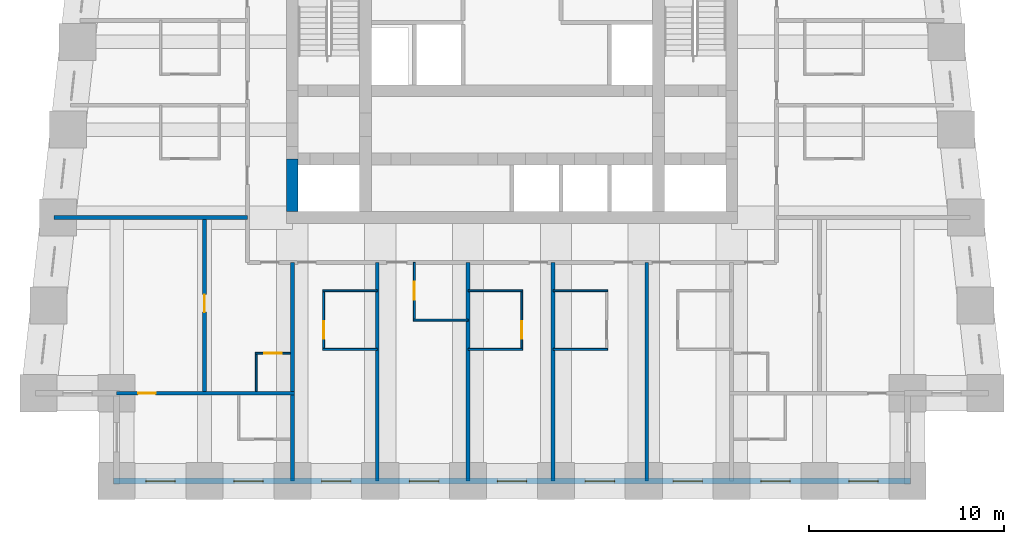
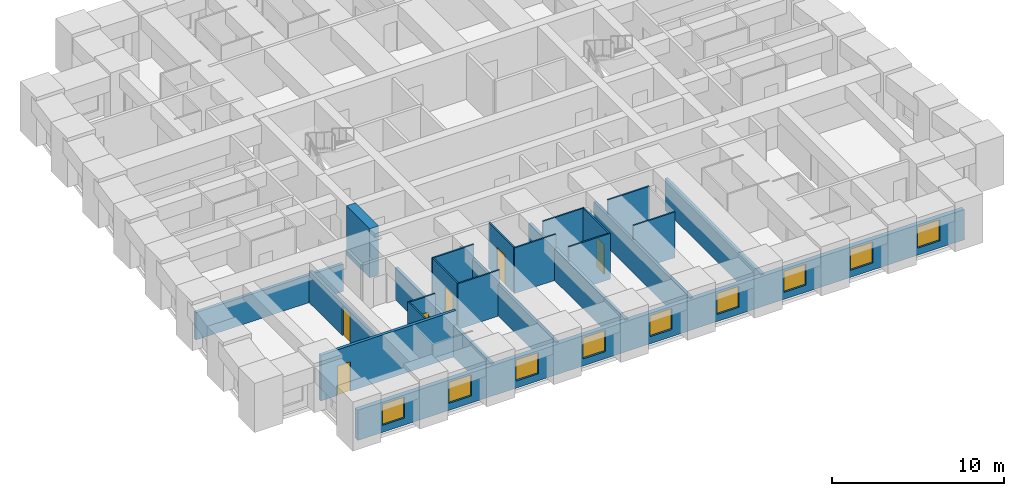
# One storey, part 2 of 8: 22 walls, 9 windows, 6 doors, 15 openings.
"""IFC4 building model written with IfcOpenShell, lengths in metres."""

import ifcopenshell
import ifcopenshell.guid

model = None  # the IFC model being written
_history = None  # IfcOwnerHistory: only IFC2X3 demands one
_inside = {}  # id of a spatial element -> (the spatial element, [elements in it])
_under = {}  # id of a project, library or spatial element -> (it, [spatial elements below it])
_declared = {}  # id of a project -> (the project, [libraries it declares])
_typed = {}  # id of a type object -> (the type object, [elements of that type])
_made_of = {}  # id of a material, layer set ... -> (it, [elements and type objects made of it])


def new_model(schema):
    """Start an empty IFC model of exactly this schema.

    Asked for "IFC4X3", IfcOpenShell would pick the latest addendum, in which some entities
    have other attributes; the version numbers below select the first issue.
    IFC2X3 requires an IfcOwnerHistory on every rooted entity: one is made here for all.
    """
    global model, _history
    if schema == "IFC4X3":
        model = ifcopenshell.file(schema_version=(4, 3, 0, 0))
    else:
        model = ifcopenshell.file(schema=schema)
    _inside.clear()
    _under.clear()
    _declared.clear()
    _typed.clear()
    _made_of.clear()
    _history = None
    if model.schema == "IFC2X3":
        org = make("IfcOrganization", Name="unknown")
        user = make(
            "IfcPersonAndOrganization",
            ThePerson=make("IfcPerson", FamilyName="unknown"),
            TheOrganization=org,
        )
        app = make(
            "IfcApplication",
            ApplicationDeveloper=org,
            Version="unknown",
            ApplicationFullName="unknown",
            ApplicationIdentifier="unknown",
        )
        _history = make(
            "IfcOwnerHistory",
            OwningUser=user,
            OwningApplication=app,
            ChangeAction="ADDED",
            CreationDate=0,
        )
    return model


def make(cls, **values):
    """One entity of the class cls with the attributes given. An attribute that is None is left unset."""
    return model.create_entity(
        cls, **{name: value for name, value in values.items() if value is not None}
    )


def rooted(cls, **values):
    """An entity with a GlobalId (a new one), such as an element, a storey or a relation."""
    return make(cls, GlobalId=ifcopenshell.guid.new(), OwnerHistory=_history, **values)


def si_unit(unit_type, name, prefix=None):
    """IfcSIUnit, for example si_unit("LENGTHUNIT", "METRE", prefix="MILLI")."""
    return make("IfcSIUnit", UnitType=unit_type, Prefix=prefix, Name=name)


def assignment(units):
    """IfcUnitAssignment: the units of a project."""
    return None if units is None else make("IfcUnitAssignment", Units=units)


def point(xyz):
    """IfcCartesianPoint."""
    return None if xyz is None else make("IfcCartesianPoint", Coordinates=xyz)


def direction(xyz):
    """IfcDirection."""
    return None if xyz is None else make("IfcDirection", DirectionRatios=xyz)


def frame(location, z_axis=None, x_axis=None):
    """IfcAxis2Placement3D, a coordinate frame: its origin and axes. An axis left out is left unset."""
    return make(
        "IfcAxis2Placement3D",
        Location=point(location),
        Axis=direction(z_axis),
        RefDirection=direction(x_axis),
    )


def frame_2d(location, x_axis=None):
    """IfcAxis2Placement2D, a coordinate frame in the plane: its origin and x axis."""
    return make(
        "IfcAxis2Placement2D", Location=point(location), RefDirection=direction(x_axis)
    )


def origin():
    """The frame at (0, 0, 0) with its axes left unset."""
    return frame((0.0, 0.0, 0.0))


def place(relative_to, where):
    """IfcLocalPlacement: puts the frame where relative to a parent placement (None: the world)."""
    return make(
        "IfcLocalPlacement", PlacementRelTo=relative_to, RelativePlacement=where
    )


def context(
    kind, dimensions, precision=None, world=None, true_north=None, identifier=None
):
    """IfcGeometricRepresentationContext, for example the 3D "Model" context."""
    return make(
        "IfcGeometricRepresentationContext",
        ContextIdentifier=identifier,
        ContextType=kind,
        CoordinateSpaceDimension=dimensions,
        Precision=precision,
        WorldCoordinateSystem=world,
        TrueNorth=true_north,
    )


def subcontext(parent, identifier, kind, view, scale=None):
    """IfcGeometricRepresentationSubContext, for example "Body" below "Model"."""
    return make(
        "IfcGeometricRepresentationSubContext",
        ContextIdentifier=identifier,
        ContextType=kind,
        ParentContext=parent,
        TargetScale=scale,
        TargetView=view,
    )


def project(units=None, contexts=None):
    """IfcProject with its units and contexts."""
    return rooted(
        "IfcProject",
        Name="project",
        RepresentationContexts=contexts,
        UnitsInContext=assignment(units),
    )


def spatial(cls, under=None, at=None, **own):
    """A site, building, storey or space (cls), placed at a placement, below another one or the project."""
    s = rooted(cls, ObjectPlacement=at, **own)
    if under is not None:
        _under.setdefault(under.id(), (under, []))[1].append(s)
    return s


def profile(cls, at=None, kind="AREA", **sizes):
    """A parametric profile (cls). Its sizes go by their IFC names, for example OverallWidth=200.0."""
    return make(cls, ProfileType=kind, Position=at, **sizes)


def rectangle(**sizes):
    """IfcRectangleProfileDef."""
    return profile("IfcRectangleProfileDef", **sizes)


def extrude(swept, where, along, depth):
    """IfcExtrudedAreaSolid: the profile swept, set in the frame where, extruded along a direction by depth."""
    return make(
        "IfcExtrudedAreaSolid",
        SweptArea=swept,
        Position=where,
        ExtrudedDirection=direction(along),
        Depth=depth,
    )


def shape(context_of_items, identifier, shape_type, items):
    """IfcShapeRepresentation: the items that make up one representation, for example the "Body"."""
    return make(
        "IfcShapeRepresentation",
        ContextOfItems=context_of_items,
        RepresentationIdentifier=identifier,
        RepresentationType=shape_type,
        Items=items,
    )


def material(Name=None, Category=None):
    """IfcMaterial."""
    return make("IfcMaterial", Name=Name, Category=Category)


def layer(
    of_material, thickness, ventilated=None, Name=None, Category=None, Priority=None
):
    """IfcMaterialLayer: one layer of a wall or slab, of a material (None: an air gap)."""
    return make(
        "IfcMaterialLayer",
        Material=of_material,
        LayerThickness=thickness,
        IsVentilated=ventilated,
        Name=Name,
        Category=Category,
        Priority=Priority,
    )


def layer_set(layers, Name=None):
    """IfcMaterialLayerSet."""
    return make("IfcMaterialLayerSet", MaterialLayers=layers, LayerSetName=Name)


def made_of(thing, what):
    """Note that an element or type object is made of a material, layer set ...; save() writes the relation."""
    if what is not None:
        _made_of.setdefault(what.id(), (what, []))[1].append(thing)
    return thing


def type_object(cls, material=None, **own):
    """A type object (cls), such as IfcWallType, which elements share."""
    return made_of(rooted(cls, **own), material)


def element(
    cls,
    number,
    at=None,
    inside=None,
    cuts=None,
    type_object=None,
    material=None,
    context=None,
    identifier="Body",
    shape_type=None,
    held_by="IfcProductDefinitionShape",
    body=None,
    shapes=None,
    **own,
):
    """One element of the class cls, such as IfcWall. Its Tag is "e" and its number.

    at: its placement. inside: the storey or other place that contains it. cuts: it is an
    opening in that element (IfcRelVoidsElement). A single representation is given by context,
    identifier, shape_type and body (its items); several are given by shapes. held_by: the class
    of the entity that holds the representations. save() writes the other relations.
    """
    e = rooted(cls, Tag="e%d" % number, ObjectPlacement=at, **own)
    if body is not None:
        shapes = [shape(context, identifier, shape_type, body)]
    if shapes is not None:
        e.Representation = make(held_by, Representations=shapes)
    if inside is not None:
        _inside.setdefault(inside.id(), (inside, []))[1].append(e)
    if cuts is not None:
        rooted(
            "IfcRelVoidsElement", RelatingBuildingElement=cuts, RelatedOpeningElement=e
        )
    if type_object is not None:
        _typed.setdefault(type_object.id(), (type_object, []))[1].append(e)
    return made_of(e, material)


def fill(opening, filler):
    """IfcRelFillsElement: the door or window that sits in an opening."""
    return rooted(
        "IfcRelFillsElement",
        RelatingOpeningElement=opening,
        RelatedBuildingElement=filler,
    )


def aggregate(whole, parts):
    """IfcRelAggregates: a whole, such as a stair, and the parts it consists of."""
    return rooted("IfcRelAggregates", RelatingObject=whole, RelatedObjects=parts)


def save(model, path):
    """Write the relations noted so far, then the file.

    IfcRelAggregates (storeys below a building ...), IfcRelContainedInSpatialStructure (elements
    in a storey), IfcRelDefinesByType, IfcRelAssociatesMaterial and IfcRelDeclares: one each for
    every whole, place, type object, material and project.
    """
    for whole, parts in _under.values():
        aggregate(whole, parts)
    for where, things in _inside.values():
        rooted(
            "IfcRelContainedInSpatialStructure",
            RelatedElements=things,
            RelatingStructure=where,
        )
    for kind, things in _typed.values():
        rooted("IfcRelDefinesByType", RelatedObjects=things, RelatingType=kind)
    for what, things in _made_of.values():
        rooted("IfcRelAssociatesMaterial", RelatedObjects=things, RelatingMaterial=what)
    for by, libraries in _declared.values():
        rooted("IfcRelDeclares", RelatingContext=by, RelatedDefinitions=libraries)
    model.write(path)


model = new_model("IFC4")

# Units and contexts
model_context = context("Model", 3, precision=1e-05, world=origin(), true_north=direction((0.0, 1.0)))
body_context = subcontext(model_context, "Body", "Model", "MODEL_VIEW")
ifc_project = project(units=[si_unit("LENGTHUNIT", "METRE"), si_unit("AREAUNIT", "SQUARE_METRE"), si_unit("VOLUMEUNIT", "CUBIC_METRE"), si_unit("PLANEANGLEUNIT", "RADIAN"), si_unit("MASSUNIT", "GRAM", prefix="KILO")], contexts=[model_context])

# Site, building, storey
site_placement = place(None, origin())
site = spatial("IfcSite", under=ifc_project, at=site_placement, CompositionType="ELEMENT")
building_placement = place(site_placement, origin())
building = spatial("IfcBuilding", under=site, at=building_placement, Name="Kilele Tower Hotel", CompositionType="ELEMENT")
storey_placement = place(building_placement, frame((0.0, 0.0, 100.39990234375)))
storey = spatial("IfcBuildingStorey", under=building, at=storey_placement, Name="L25", CompositionType="ELEMENT", Elevation=100.39990234375)

# Walls
ifc_material_1 = material(Name="Moisture-resistant board")
ifc_layer_1 = layer(ifc_material_1, 0.10009765625)
ifc_layer_set_1 = layer_set([ifc_layer_1], Name="Moisture-resistant board")
wall_type_1 = type_object("IfcWallType", Name="Bathroom partition 100", PredefinedType="PLUMBINGWALL", material=ifc_layer_set_1)
for number, where, z_axis, x_axis, name in (
    (1, (15.050048828125, 9.75, 0.0), (0.0, 0.0, 1.0), (1.0, 0.0, 0.0), "Bathroom partition 100 L25"),
    (2, (15.050048828125, 6.75, 0.0), (0.0, 0.0, 1.0), (1.0, 0.0, 0.0), "Bathroom partition 100 L25"),
):
    element("IfcWall", number, at=place(storey_placement, frame(where, z_axis=z_axis, x_axis=x_axis)), inside=storey, type_object=wall_type_1, Name=name, PredefinedType="PLUMBINGWALL", context=body_context, shape_type="SweptSolid", body=[
        extrude(rectangle(XDim=2.800048828125, YDim=0.10009765625, at=frame_2d((1.39990234375, 0.0))), origin(), (0.0, 0.0, 1.0), 3.25),
    ])

# Wall, opening, door
wall_1_placement = place(storey_placement, frame((15.10009765625, 9.800048828125, 0.0), z_axis=(0.0, 0.0, 1.0), x_axis=(0.0, -1.0, 0.0)))
wall_1 = element("IfcWall", 3, at=wall_1_placement, inside=storey, type_object=wall_type_1, Name="Bathroom partition 100 L25", PredefinedType="PLUMBINGWALL", context=body_context, shape_type="SweptSolid", body=[
    extrude(rectangle(XDim=3.10009765625, YDim=0.10009765625, at=frame_2d((1.550048828125, 0.0))), origin(), (0.0, 0.0, 1.0), 3.25),
])
opening_1_placement = place(wall_1_placement, frame((2.5, 0.0, 0.0), z_axis=(0.0, 0.0, 1.0), x_axis=(-1.0, 0.0, 0.0)))
opening_1 = element("IfcOpeningElement", 4, at=opening_1_placement, cuts=wall_1, Name="Opening D2A", PredefinedType="OPENING", context=body_context, shape_type="SweptSolid", body=[
    extrude(rectangle(XDim=0.89990234375, YDim=2.10009765625, at=frame_2d((0.449951171875, 1.050048828125))), frame((0.0, 0.06005859375, 0.0), z_axis=(0.0, -1.0, 0.0), x_axis=(1.0, 0.0, 0.0)), (0.0, 0.0, 1.0), 0.1201171875),
])
ifc_material_2 = material(Name="Timber door leaf in hardwood frame", Category="wood")
door_type_1 = type_object("IfcDoorType", Name="Bathroom door 900", OperationType="SINGLE_SWING_LEFT", PredefinedType="DOOR", material=ifc_material_2)
door_1_placement = place(opening_1_placement, origin())
door_1 = element("IfcDoor", 5, at=door_1_placement, inside=storey, type_object=door_type_1, Name="Bathroom door 2501B", OperationType="SINGLE_SWING_LEFT", OverallHeight=2.10009765625, OverallWidth=0.89990234375, PredefinedType="DOOR", context=body_context, shape_type="SweptSolid", body=[
    extrude(rectangle(XDim=0.89990234375, YDim=2.10009765625, at=frame_2d((0.449951171875, 1.050048828125))), frame((0.0, 0.02490234375, 0.0), z_axis=(0.0, -1.0, 0.0), x_axis=(1.0, 0.0, 0.0)), (0.0, 0.0, 1.0), 0.050048828125),
])
fill(opening_1, door_1)

# Wall
wall_2_placement = place(storey_placement, frame((19.699951171875, 8.25, 0.0), z_axis=(0.0, 0.0, 1.0), x_axis=(1.0, 0.0, 0.0)))
element("IfcWall", 6, at=wall_2_placement, inside=storey, type_object=wall_type_1, Name="Bathroom partition 100 L25", PredefinedType="PLUMBINGWALL", context=body_context, shape_type="SweptSolid", body=[
    extrude(rectangle(XDim=2.800048828125, YDim=0.10009765625, at=frame_2d((1.39990234375, 0.0))), origin(), (0.0, 0.0, 1.0), 3.25),
])

# Wall, opening, door
wall_3_placement = place(storey_placement, frame((19.75, 11.199951171875, 0.0), z_axis=(0.0, 0.0, 1.0), x_axis=(0.0, -1.0, 0.0)))
wall_3 = element("IfcWall", 7, at=wall_3_placement, inside=storey, type_object=wall_type_1, Name="Bathroom partition 100 L25", PredefinedType="PLUMBINGWALL", context=body_context, shape_type="SweptSolid", body=[
    extrude(rectangle(XDim=3.0, YDim=0.10009765625, at=frame_2d((1.5, 0.0))), origin(), (0.0, 0.0, 1.0), 3.25),
])
opening_2_placement = place(wall_3_placement, frame((1.89990234375, 0.0, 0.0), z_axis=(0.0, 0.0, 1.0), x_axis=(-1.0, 0.0, 0.0)))
opening_2 = element("IfcOpeningElement", 8, at=opening_2_placement, cuts=wall_3, Name="Opening D2A", PredefinedType="OPENING", context=body_context, shape_type="SweptSolid", body=[
    extrude(rectangle(XDim=0.89990234375, YDim=2.10009765625, at=frame_2d((0.449951171875, 1.050048828125))), frame((0.0, 0.06005859375, 0.0), z_axis=(0.0, -1.0, 0.0), x_axis=(1.0, 0.0, 0.0)), (0.0, 0.0, 1.0), 0.1201171875),
])
door_2_placement = place(opening_2_placement, origin())
door_2 = element("IfcDoor", 9, at=door_2_placement, inside=storey, type_object=door_type_1, Name="Bathroom door 2502B", OperationType="SINGLE_SWING_RIGHT", OverallHeight=2.10009765625, OverallWidth=0.89990234375, PredefinedType="DOOR", context=body_context, shape_type="SweptSolid", body=[
    extrude(rectangle(XDim=0.89990234375, YDim=2.10009765625, at=frame_2d((0.449951171875, 1.050048828125))), frame((0.0, 0.02490234375, 0.0), z_axis=(0.0, -1.0, 0.0), x_axis=(1.0, 0.0, 0.0)), (0.0, 0.0, 1.0), 0.050048828125),
])
fill(opening_2, door_2)

# Walls
for number, where, z_axis, x_axis, name in (
    (10, (22.5, 9.75, 0.0), (0.0, 0.0, 1.0), (1.0, 0.0, 0.0), "Bathroom partition 100 L25"),
    (11, (22.5, 6.75, 0.0), (0.0, 0.0, 1.0), (1.0, 0.0, 0.0), "Bathroom partition 100 L25"),
):
    element("IfcWall", number, at=place(storey_placement, frame(where, z_axis=z_axis, x_axis=x_axis)), inside=storey, type_object=wall_type_1, Name=name, PredefinedType="PLUMBINGWALL", context=body_context, shape_type="SweptSolid", body=[
        extrude(rectangle(XDim=2.800048828125, YDim=0.10009765625, at=frame_2d((1.39990234375, 0.0))), origin(), (0.0, 0.0, 1.0), 3.25),
    ])

# Wall, opening, door
wall_4_placement = place(storey_placement, frame((25.25, 9.800048828125, 0.0), z_axis=(0.0, 0.0, 1.0), x_axis=(0.0, -1.0, 0.0)))
wall_4 = element("IfcWall", 12, at=wall_4_placement, inside=storey, type_object=wall_type_1, Name="Bathroom partition 100 L25", PredefinedType="PLUMBINGWALL", context=body_context, shape_type="SweptSolid", body=[
    extrude(rectangle(XDim=3.10009765625, YDim=0.10009765625, at=frame_2d((1.550048828125, 0.0))), origin(), (0.0, 0.0, 1.0), 3.25),
])
opening_3_placement = place(wall_4_placement, frame((1.60009765625, 0.0, 0.0)))
opening_3 = element("IfcOpeningElement", 13, at=opening_3_placement, cuts=wall_4, Name="Opening D2A", PredefinedType="OPENING", context=body_context, shape_type="SweptSolid", body=[
    extrude(rectangle(XDim=0.89990234375, YDim=2.10009765625, at=frame_2d((0.449951171875, 1.050048828125))), frame((0.0, 0.06005859375, 0.0), z_axis=(0.0, -1.0, 0.0), x_axis=(1.0, 0.0, 0.0)), (0.0, 0.0, 1.0), 0.1201171875),
])
door_3_placement = place(opening_3_placement, origin())
door_3 = element("IfcDoor", 14, at=door_3_placement, inside=storey, type_object=door_type_1, Name="Bathroom door 2503B", OperationType="SINGLE_SWING_RIGHT", OverallHeight=2.10009765625, OverallWidth=0.89990234375, PredefinedType="DOOR", context=body_context, shape_type="SweptSolid", body=[
    extrude(rectangle(XDim=0.89990234375, YDim=2.10009765625, at=frame_2d((0.449951171875, 1.050048828125))), frame((0.0, 0.02490234375, 0.0), z_axis=(0.0, -1.0, 0.0), x_axis=(1.0, 0.0, 0.0)), (0.0, 0.0, 1.0), 0.050048828125),
])
fill(opening_3, door_3)

# Walls
for number, where, z_axis, x_axis, name in (
    (15, (26.85009765625, 9.75, 0.0), (0.0, 0.0, 1.0), (1.0, 0.0, 0.0), "Bathroom partition 100 L25"),
    (16, (26.85009765625, 6.75, 0.0), (0.0, 0.0, 1.0), (1.0, 0.0, 0.0), "Bathroom partition 100 L25"),
):
    element("IfcWall", number, at=place(storey_placement, frame(where, z_axis=z_axis, x_axis=x_axis)), inside=storey, type_object=wall_type_1, Name=name, PredefinedType="PLUMBINGWALL", context=body_context, shape_type="SweptSolid", body=[
        extrude(rectangle(XDim=2.7998046875, YDim=0.10009765625, at=frame_2d((1.39990234375, 0.0))), origin(), (0.0, 0.0, 1.0), 3.25),
    ])
wall_5_placement = place(storey_placement, frame((11.64990234375, 4.60009765625, 0.0), z_axis=(0.0, 0.0, 1.0), x_axis=(0.0, 1.0, 0.0)))
element("IfcWall", 17, at=wall_5_placement, inside=storey, type_object=wall_type_1, Name="Bathroom partition 100 L25", PredefinedType="PLUMBINGWALL", context=body_context, shape_type="SweptSolid", body=[
    extrude(rectangle(XDim=2.0, YDim=0.10009765625, at=frame_2d((1.0, 0.0))), origin(), (0.0, 0.0, 1.0), 3.25),
])

# Wall, opening, door
wall_6_placement = place(storey_placement, frame((13.39990234375, 6.550048828125, 0.0), z_axis=(0.0, 0.0, 1.0), x_axis=(-1.0, 0.0, 0.0)))
wall_6 = element("IfcWall", 18, at=wall_6_placement, inside=storey, type_object=wall_type_1, Name="Bathroom partition 100 L25", PredefinedType="PLUMBINGWALL", context=body_context, shape_type="SweptSolid", body=[
    extrude(rectangle(XDim=1.7998046875, YDim=0.10009765625, at=frame_2d((0.89990234375, 0.0))), origin(), (0.0, 0.0, 1.0), 3.25),
])
opening_4_placement = place(wall_6_placement, frame((1.349853515625, 0.0, 0.0), z_axis=(0.0, 0.0, 1.0), x_axis=(-1.0, 0.0, 0.0)))
opening_4 = element("IfcOpeningElement", 19, at=opening_4_placement, cuts=wall_6, Name="Opening D2A", PredefinedType="OPENING", context=body_context, shape_type="SweptSolid", body=[
    extrude(rectangle(XDim=0.89990234375, YDim=2.10009765625, at=frame_2d((0.449951171875, 1.050048828125))), frame((0.0, 0.06005859375, 0.0), z_axis=(0.0, -1.0, 0.0), x_axis=(1.0, 0.0, 0.0)), (0.0, 0.0, 1.0), 0.1201171875),
])
door_4_placement = place(opening_4_placement, origin())
door_4 = element("IfcDoor", 20, at=door_4_placement, inside=storey, type_object=door_type_1, Name="Bathroom door 2517P", OperationType="SINGLE_SWING_RIGHT", OverallHeight=2.10009765625, OverallWidth=0.89990234375, PredefinedType="DOOR", context=body_context, shape_type="SweptSolid", body=[
    extrude(rectangle(XDim=0.89990234375, YDim=2.10009765625, at=frame_2d((0.449951171875, 1.050048828125))), frame((0.0, 0.02490234375, 0.0), z_axis=(0.0, -1.0, 0.0), x_axis=(1.0, 0.0, 0.0)), (0.0, 0.0, 1.0), 0.050048828125),
])
fill(opening_4, door_4)

# Wall
ifc_material_3 = material(Name="Concrete C60/75", Category="concrete")
ifc_layer_2 = layer(ifc_material_3, 0.60009765625)
ifc_layer_set_2 = layer_set([ifc_layer_2], Name="Concrete C60/75")
wall_type_2 = type_object("IfcWallType", Name="Core wall 600 C60/75", PredefinedType="SHEAR", material=ifc_layer_set_2)
wall_7_placement = place(storey_placement, frame((13.5, 16.5, 0.0), z_axis=(0.0, 0.0, 1.0), x_axis=(0.0, -1.0, 0.0)))
element("IfcWall", 21, at=wall_7_placement, inside=storey, type_object=wall_type_2, Name="Core wall W3 L25", PredefinedType="SHEAR", context=body_context, shape_type="SweptSolid", body=[
    extrude(rectangle(XDim=2.699951171875, YDim=0.60009765625, at=frame_2d((1.35009765625, 0.0))), origin(), (0.0, 0.0, 1.0), 3.5),
])

# Wall, opening, door
ifc_material_4 = material(Name="Blockwork, plastered both sides", Category="masonry")
ifc_layer_3 = layer(ifc_material_4, 0.199951171875)
ifc_layer_set_3 = layer_set([ifc_layer_3], Name="Blockwork, plastered both sides")
wall_type_3 = type_object("IfcWallType", Name="Partition wall 200", PredefinedType="PARTITIONING", material=ifc_layer_set_3)
wall_8_placement = place(storey_placement, frame((9.0, 4.60009765625, 0.0), z_axis=(0.0, 0.0, 1.0), x_axis=(0.0, 1.0, 0.0)))
wall_8 = element("IfcWall", 22, at=wall_8_placement, inside=storey, type_object=wall_type_3, Name="Partition wall 200 L25", PredefinedType="PARTITIONING", context=body_context, shape_type="SweptSolid", body=[
    extrude(rectangle(XDim=8.7998046875, YDim=0.199951171875, at=frame_2d((4.39990234375, 0.0))), origin(), (0.0, 0.0, 1.0), 2.25),
])
opening_5_placement = place(wall_8_placement, frame((4.050048828125, 0.0, 0.0)))
opening_5 = element("IfcOpeningElement", 23, at=opening_5_placement, cuts=wall_8, Name="Opening D3", PredefinedType="OPENING", context=body_context, shape_type="SweptSolid", body=[
    extrude(rectangle(XDim=0.89990234375, YDim=2.10009765625, at=frame_2d((0.449951171875, 1.050048828125))), frame((0.0, 0.10986328125, 0.0), z_axis=(0.0, -1.0, 0.0), x_axis=(1.0, 0.0, 0.0)), (0.0, 0.0, 1.0), 0.219970703125),
])
ifc_material_5 = material(Name="Timber door leaf in hardwood frame", Category="wood")
door_type_2 = type_object("IfcDoorType", Name="Suite internal door 900", OperationType="SINGLE_SWING_LEFT", PredefinedType="DOOR", material=ifc_material_5)
door_5_placement = place(opening_5_placement, origin())
door_5 = element("IfcDoor", 24, at=door_5_placement, inside=storey, type_object=door_type_2, Name="Suite door 2518", OperationType="SINGLE_SWING_RIGHT", OverallHeight=2.10009765625, OverallWidth=0.89990234375, PredefinedType="DOOR", context=body_context, shape_type="SweptSolid", body=[
    extrude(rectangle(XDim=0.89990234375, YDim=2.10009765625, at=frame_2d((0.449951171875, 1.050048828125))), frame((0.0, 0.02490234375, 0.0), z_axis=(0.0, -1.0, 0.0), x_axis=(1.0, 0.0, 0.0)), (0.0, 0.0, 1.0), 0.050048828125),
])
fill(opening_5, door_5)

# Walls
ifc_material_6 = material(Name="Blockwork, plastered both sides", Category="masonry")
ifc_layer_4 = layer(ifc_material_6, 0.199951171875)
ifc_layer_set_4 = layer_set([ifc_layer_4], Name="Blockwork, plastered both sides")
wall_type_4 = type_object("IfcWallType", Name="Party wall 200", PredefinedType="PARTITIONING", material=ifc_layer_set_4)
for number, where, z_axis, x_axis, name in (
    (25, (17.85009765625, 11.199951171875, 0.0), (0.0, 0.0, 1.0), (0.0, -1.0, 0.0), "Party wall 200 L25"),
    (26, (22.5, 11.199951171875, 0.0), (0.0, 0.0, 1.0), (0.0, -1.0, 0.0), "Party wall 200 L25"),
    (27, (26.85009765625, 11.199951171875, 0.0), (0.0, 0.0, 1.0), (0.0, -1.0, 0.0), "Party wall 200 L25"),
    (28, (31.64990234375, 11.199951171875, 0.0), (0.0, 0.0, 1.0), (0.0, -1.0, 0.0), "Party wall 200 L25"),
):
    element("IfcWall", number, at=place(storey_placement, frame(where, z_axis=z_axis, x_axis=x_axis)), inside=storey, type_object=wall_type_4, Name=name, PredefinedType="PARTITIONING", context=body_context, shape_type="SweptSolid", body=[
        extrude(rectangle(XDim=11.199951171875, YDim=0.199951171875, at=frame_2d((5.60009765625, 0.0))), origin(), (0.0, 0.0, 1.0), 2.25),
    ])
wall_9_placement = place(storey_placement, frame((11.199951171875, 13.5, 0.0), z_axis=(0.0, 0.0, 1.0), x_axis=(-1.0, 0.0, 0.0)))
element("IfcWall", 29, at=wall_9_placement, inside=storey, type_object=wall_type_4, Name="Party wall 200 L25", PredefinedType="PARTITIONING", context=body_context, shape_type="SweptSolid", body=[
    extrude(rectangle(XDim=9.921142578125, YDim=0.199951171875, at=frame_2d((4.96044921875, 0.0))), origin(), (0.0, 0.0, 1.0), 1.9501953125),
])
wall_10_placement = place(storey_placement, frame((13.5, 11.199951171875, 0.0), z_axis=(0.0, 0.0, 1.0), x_axis=(0.0, -1.0, 0.0)))
element("IfcWall", 30, at=wall_10_placement, inside=storey, type_object=wall_type_4, Name="Party wall 200 L25", PredefinedType="PARTITIONING", context=body_context, shape_type="SweptSolid", body=[
    extrude(rectangle(XDim=11.199951171875, YDim=0.199951171875, at=frame_2d((5.60009765625, 0.0))), origin(), (0.0, 0.0, 1.0), 2.25),
])

# Wall, opening, door
wall_11_placement = place(storey_placement, frame((13.60009765625, 4.5, 0.0), z_axis=(0.0, 0.0, 1.0), x_axis=(-1.0, 0.0, 0.0)))
wall_11 = element("IfcWall", 31, at=wall_11_placement, inside=storey, type_object=wall_type_4, Name="Party wall 200 L25", PredefinedType="PARTITIONING", context=body_context, shape_type="SweptSolid", body=[
    extrude(rectangle(XDim=9.10009765625, YDim=0.199951171875, at=frame_2d((4.550048828125, 0.0))), origin(), (0.0, 0.0, 1.0), 3.25),
])
opening_6_placement = place(wall_11_placement, frame((7.10009765625, 0.0, 0.0)))
opening_6 = element("IfcOpeningElement", 32, at=opening_6_placement, cuts=wall_11, Name="Opening D3", PredefinedType="OPENING", context=body_context, shape_type="SweptSolid", body=[
    extrude(rectangle(XDim=0.89990234375, YDim=2.10009765625, at=frame_2d((0.449951171875, 1.050048828125))), frame((0.0, 0.10986328125, 0.0), z_axis=(0.0, -1.0, 0.0), x_axis=(1.0, 0.0, 0.0)), (0.0, 0.0, 1.0), 0.219970703125),
])
door_6_placement = place(opening_6_placement, origin())
door_6 = element("IfcDoor", 33, at=door_6_placement, inside=storey, type_object=door_type_2, Name="Suite door 2519", OperationType="SINGLE_SWING_RIGHT", OverallHeight=2.10009765625, OverallWidth=0.89990234375, PredefinedType="DOOR", context=body_context, shape_type="SweptSolid", body=[
    extrude(rectangle(XDim=0.89990234375, YDim=2.10009765625, at=frame_2d((0.449951171875, 1.050048828125))), frame((0.0, 0.02490234375, 0.0), z_axis=(0.0, -1.0, 0.0), x_axis=(1.0, 0.0, 0.0)), (0.0, 0.0, 1.0), 0.050048828125),
])
fill(opening_6, door_6)

# Wall, openings, windows
ifc_material_7 = material(Name="Concrete C40/50 precast", Category="concrete")
ifc_layer_5 = layer(ifc_material_7, 0.260009765625, Name="Precast backing", Category="LoadBearing")
ifc_material_8 = material(Name="Reconstituted stone finish", Category="masonry")
ifc_layer_6 = layer(ifc_material_8, 0.0400390625, Name="Face mix", Category="Finish")
ifc_layer_set_5 = layer_set([ifc_layer_5, ifc_layer_6], Name="Precast concrete C40/50, reconstituted stone finish")
wall_type_5 = type_object("IfcWallType", Name="Precast stone facade wall 300", PredefinedType="STANDARD", material=ifc_layer_set_5)
wall_12_placement = place(storey_placement, frame((4.35009765625, 0.0, 0.0), z_axis=(0.0, 0.0, 1.0), x_axis=(1.0, 0.0, 0.0)))
wall_12 = element("IfcWall", 34, at=wall_12_placement, inside=storey, type_object=wall_type_5, Name="Facade wall L25 edge 3", PredefinedType="STANDARD", context=body_context, shape_type="SweptSolid", body=[
    extrude(rectangle(XDim=40.7998046875, YDim=0.300048828125, at=frame_2d((20.39990234375, 0.0))), origin(), (0.0, 0.0, 1.0), 2.150146484375),
])
opening_7_placement = place(wall_12_placement, frame((1.64990234375, 0.0, 0.5)))
opening_7 = element("IfcOpeningElement", 35, at=opening_7_placement, cuts=wall_12, Name="Opening W2", PredefinedType="OPENING", context=body_context, shape_type="SweptSolid", body=[
    extrude(rectangle(XDim=1.5, YDim=1.5, at=frame_2d((0.75, 0.75))), frame((0.0, 0.159912109375, 0.0), z_axis=(0.0, -1.0, 0.0), x_axis=(1.0, 0.0, 0.0)), (0.0, 0.0, 1.0), 0.320068359375),
])
opening_8_placement = place(wall_12_placement, frame((6.14990234375, 0.0, 0.5)))
opening_8 = element("IfcOpeningElement", 36, at=opening_8_placement, cuts=wall_12, Name="Opening W2", PredefinedType="OPENING", context=body_context, shape_type="SweptSolid", body=[
    extrude(rectangle(XDim=1.5, YDim=1.5, at=frame_2d((0.75, 0.75))), frame((0.0, 0.159912109375, 0.0), z_axis=(0.0, -1.0, 0.0), x_axis=(1.0, 0.0, 0.0)), (0.0, 0.0, 1.0), 0.320068359375),
])
opening_9_placement = place(wall_12_placement, frame((10.64990234375, 0.0, 0.5)))
opening_9 = element("IfcOpeningElement", 37, at=opening_9_placement, cuts=wall_12, Name="Opening W2", PredefinedType="OPENING", context=body_context, shape_type="SweptSolid", body=[
    extrude(rectangle(XDim=1.5, YDim=1.5, at=frame_2d((0.75, 0.75))), frame((0.0, 0.159912109375, 0.0), z_axis=(0.0, -1.0, 0.0), x_axis=(1.0, 0.0, 0.0)), (0.0, 0.0, 1.0), 0.320068359375),
])
opening_10_placement = place(wall_12_placement, frame((15.14990234375, 0.0, 0.5)))
opening_10 = element("IfcOpeningElement", 38, at=opening_10_placement, cuts=wall_12, Name="Opening W2", PredefinedType="OPENING", context=body_context, shape_type="SweptSolid", body=[
    extrude(rectangle(XDim=1.5, YDim=1.5, at=frame_2d((0.75, 0.75))), frame((0.0, 0.159912109375, 0.0), z_axis=(0.0, -1.0, 0.0), x_axis=(1.0, 0.0, 0.0)), (0.0, 0.0, 1.0), 0.320068359375),
])
opening_11_placement = place(wall_12_placement, frame((19.64990234375, 0.0, 0.5)))
opening_11 = element("IfcOpeningElement", 39, at=opening_11_placement, cuts=wall_12, Name="Opening W2", PredefinedType="OPENING", context=body_context, shape_type="SweptSolid", body=[
    extrude(rectangle(XDim=1.5, YDim=1.5, at=frame_2d((0.75, 0.75))), frame((0.0, 0.159912109375, 0.0), z_axis=(0.0, -1.0, 0.0), x_axis=(1.0, 0.0, 0.0)), (0.0, 0.0, 1.0), 0.320068359375),
])
opening_12_placement = place(wall_12_placement, frame((24.14990234375, 0.0, 0.5)))
opening_12 = element("IfcOpeningElement", 40, at=opening_12_placement, cuts=wall_12, Name="Opening W2", PredefinedType="OPENING", context=body_context, shape_type="SweptSolid", body=[
    extrude(rectangle(XDim=1.5, YDim=1.5, at=frame_2d((0.75, 0.75))), frame((0.0, 0.159912109375, 0.0), z_axis=(0.0, -1.0, 0.0), x_axis=(1.0, 0.0, 0.0)), (0.0, 0.0, 1.0), 0.320068359375),
])
opening_13_placement = place(wall_12_placement, frame((28.64990234375, 0.0, 0.5)))
opening_13 = element("IfcOpeningElement", 41, at=opening_13_placement, cuts=wall_12, Name="Opening W2", PredefinedType="OPENING", context=body_context, shape_type="SweptSolid", body=[
    extrude(rectangle(XDim=1.5, YDim=1.5, at=frame_2d((0.75, 0.75))), frame((0.0, 0.159912109375, 0.0), z_axis=(0.0, -1.0, 0.0), x_axis=(1.0, 0.0, 0.0)), (0.0, 0.0, 1.0), 0.320068359375),
])
opening_14_placement = place(wall_12_placement, frame((33.14990234375, 0.0, 0.5)))
opening_14 = element("IfcOpeningElement", 42, at=opening_14_placement, cuts=wall_12, Name="Opening W2", PredefinedType="OPENING", context=body_context, shape_type="SweptSolid", body=[
    extrude(rectangle(XDim=1.5, YDim=1.5, at=frame_2d((0.75, 0.75))), frame((0.0, 0.159912109375, 0.0), z_axis=(0.0, -1.0, 0.0), x_axis=(1.0, 0.0, 0.0)), (0.0, 0.0, 1.0), 0.320068359375),
])
opening_15_placement = place(wall_12_placement, frame((37.64990234375, 0.0, 0.5)))
opening_15 = element("IfcOpeningElement", 43, at=opening_15_placement, cuts=wall_12, Name="Opening W2", PredefinedType="OPENING", context=body_context, shape_type="SweptSolid", body=[
    extrude(rectangle(XDim=1.5, YDim=1.5, at=frame_2d((0.75, 0.75))), frame((0.0, 0.159912109375, 0.0), z_axis=(0.0, -1.0, 0.0), x_axis=(1.0, 0.0, 0.0)), (0.0, 0.0, 1.0), 0.320068359375),
])
ifc_material_9 = material(Name="Aluminium frame, clear double glazing", Category="aluminium")
window_type = type_object("IfcWindowType", Name="Window W2 1500 x 1500", PartitioningType="SINGLE_PANEL", PredefinedType="WINDOW", material=ifc_material_9)
window_1_placement = place(opening_7_placement, origin())
window_1 = element("IfcWindow", 44, at=window_1_placement, inside=storey, type_object=window_type, Name="Window L25", OverallHeight=1.5, OverallWidth=1.5, PartitioningType="SINGLE_PANEL", PredefinedType="WINDOW", context=body_context, shape_type="SweptSolid", body=[
    extrude(rectangle(XDim=1.5, YDim=1.5, at=frame_2d((0.75, 0.75))), frame((0.0, 0.030029296875, 0.0), z_axis=(0.0, -1.0, 0.0), x_axis=(1.0, 0.0, 0.0)), (0.0, 0.0, 1.0), 0.06005859375),
])
fill(opening_7, window_1)
window_2_placement = place(opening_8_placement, origin())
window_2 = element("IfcWindow", 45, at=window_2_placement, inside=storey, type_object=window_type, Name="Window L25", OverallHeight=1.5, OverallWidth=1.5, PartitioningType="SINGLE_PANEL", PredefinedType="WINDOW", context=body_context, shape_type="SweptSolid", body=[
    extrude(rectangle(XDim=1.5, YDim=1.5, at=frame_2d((0.75, 0.75))), frame((0.0, 0.030029296875, 0.0), z_axis=(0.0, -1.0, 0.0), x_axis=(1.0, 0.0, 0.0)), (0.0, 0.0, 1.0), 0.06005859375),
])
fill(opening_8, window_2)
window_3_placement = place(opening_9_placement, origin())
window_3 = element("IfcWindow", 46, at=window_3_placement, inside=storey, type_object=window_type, Name="Window L25", OverallHeight=1.5, OverallWidth=1.5, PartitioningType="SINGLE_PANEL", PredefinedType="WINDOW", context=body_context, shape_type="SweptSolid", body=[
    extrude(rectangle(XDim=1.5, YDim=1.5, at=frame_2d((0.75, 0.75))), frame((0.0, 0.030029296875, 0.0), z_axis=(0.0, -1.0, 0.0), x_axis=(1.0, 0.0, 0.0)), (0.0, 0.0, 1.0), 0.06005859375),
])
fill(opening_9, window_3)
window_4_placement = place(opening_10_placement, origin())
window_4 = element("IfcWindow", 47, at=window_4_placement, inside=storey, type_object=window_type, Name="Window L25", OverallHeight=1.5, OverallWidth=1.5, PartitioningType="SINGLE_PANEL", PredefinedType="WINDOW", context=body_context, shape_type="SweptSolid", body=[
    extrude(rectangle(XDim=1.5, YDim=1.5, at=frame_2d((0.75, 0.75))), frame((0.0, 0.030029296875, 0.0), z_axis=(0.0, -1.0, 0.0), x_axis=(1.0, 0.0, 0.0)), (0.0, 0.0, 1.0), 0.06005859375),
])
fill(opening_10, window_4)
window_5_placement = place(opening_11_placement, origin())
window_5 = element("IfcWindow", 48, at=window_5_placement, inside=storey, type_object=window_type, Name="Window L25", OverallHeight=1.5, OverallWidth=1.5, PartitioningType="SINGLE_PANEL", PredefinedType="WINDOW", context=body_context, shape_type="SweptSolid", body=[
    extrude(rectangle(XDim=1.5, YDim=1.5, at=frame_2d((0.75, 0.75))), frame((0.0, 0.030029296875, 0.0), z_axis=(0.0, -1.0, 0.0), x_axis=(1.0, 0.0, 0.0)), (0.0, 0.0, 1.0), 0.06005859375),
])
fill(opening_11, window_5)
window_6_placement = place(opening_12_placement, origin())
window_6 = element("IfcWindow", 49, at=window_6_placement, inside=storey, type_object=window_type, Name="Window L25", OverallHeight=1.5, OverallWidth=1.5, PartitioningType="SINGLE_PANEL", PredefinedType="WINDOW", context=body_context, shape_type="SweptSolid", body=[
    extrude(rectangle(XDim=1.5, YDim=1.5, at=frame_2d((0.75, 0.75))), frame((0.0, 0.030029296875, 0.0), z_axis=(0.0, -1.0, 0.0), x_axis=(1.0, 0.0, 0.0)), (0.0, 0.0, 1.0), 0.06005859375),
])
fill(opening_12, window_6)
window_7_placement = place(opening_13_placement, origin())
window_7 = element("IfcWindow", 50, at=window_7_placement, inside=storey, type_object=window_type, Name="Window L25", OverallHeight=1.5, OverallWidth=1.5, PartitioningType="SINGLE_PANEL", PredefinedType="WINDOW", context=body_context, shape_type="SweptSolid", body=[
    extrude(rectangle(XDim=1.5, YDim=1.5, at=frame_2d((0.75, 0.75))), frame((0.0, 0.030029296875, 0.0), z_axis=(0.0, -1.0, 0.0), x_axis=(1.0, 0.0, 0.0)), (0.0, 0.0, 1.0), 0.06005859375),
])
fill(opening_13, window_7)
window_8_placement = place(opening_14_placement, origin())
window_8 = element("IfcWindow", 51, at=window_8_placement, inside=storey, type_object=window_type, Name="Window L25", OverallHeight=1.5, OverallWidth=1.5, PartitioningType="SINGLE_PANEL", PredefinedType="WINDOW", context=body_context, shape_type="SweptSolid", body=[
    extrude(rectangle(XDim=1.5, YDim=1.5, at=frame_2d((0.75, 0.75))), frame((0.0, 0.030029296875, 0.0), z_axis=(0.0, -1.0, 0.0), x_axis=(1.0, 0.0, 0.0)), (0.0, 0.0, 1.0), 0.06005859375),
])
fill(opening_14, window_8)
window_9_placement = place(opening_15_placement, origin())
window_9 = element("IfcWindow", 52, at=window_9_placement, inside=storey, type_object=window_type, Name="Window L25", OverallHeight=1.5, OverallWidth=1.5, PartitioningType="SINGLE_PANEL", PredefinedType="WINDOW", context=body_context, shape_type="SweptSolid", body=[
    extrude(rectangle(XDim=1.5, YDim=1.5, at=frame_2d((0.75, 0.75))), frame((0.0, 0.030029296875, 0.0), z_axis=(0.0, -1.0, 0.0), x_axis=(1.0, 0.0, 0.0)), (0.0, 0.0, 1.0), 0.06005859375),
])
fill(opening_15, window_9)

save(model, "model.ifc")
